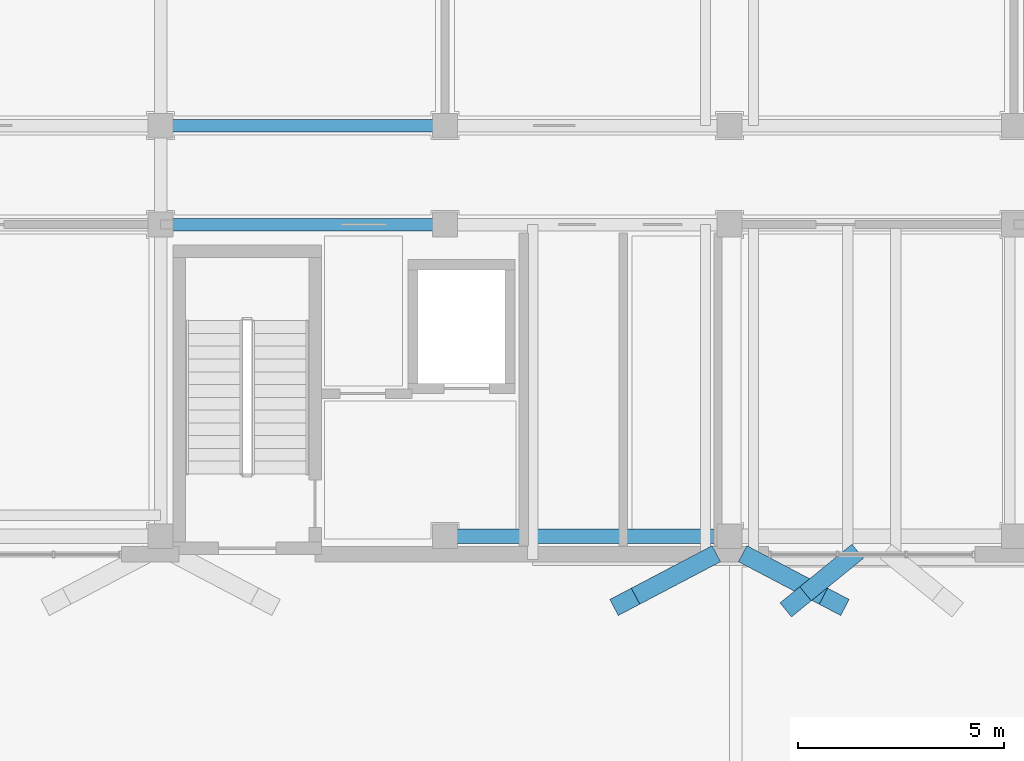
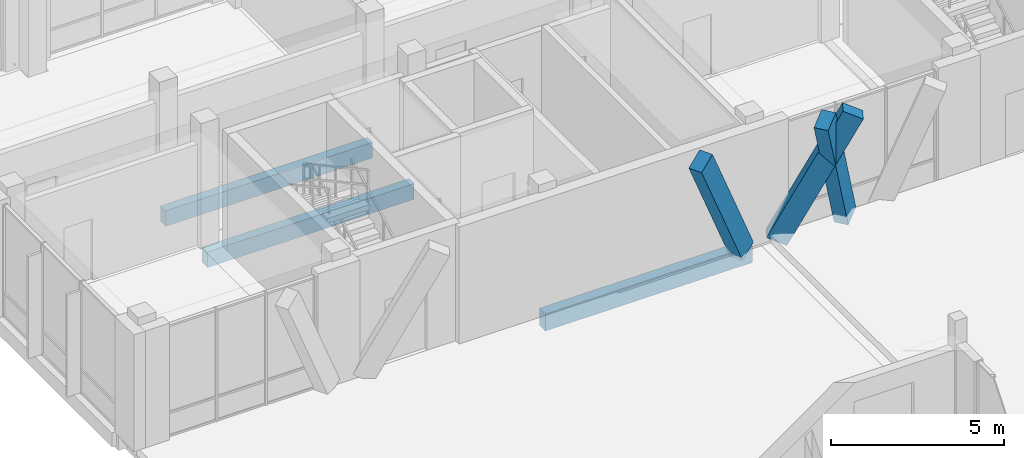
# One storey, part 99 of 233: 3 beams, 3 members.
"""IFC4 building model written with IfcOpenShell, lengths in metres."""

from ifc_helpers import new_model, si_unit, direction, frame, origin, origin_2d, place, context, subcontext, project, spatial, rectangle, extrude, material, material_profile, profile_set, type_object, element, save


model = new_model("IFC4")

# Units and contexts
model_context = context("Model", 3, precision=1e-05, world=origin(), true_north=direction((0.0, 1.0)))
body_context = subcontext(model_context, "Body", "Model", "MODEL_VIEW")
ifc_project = project(units=[si_unit("LENGTHUNIT", "METRE"), si_unit("AREAUNIT", "SQUARE_METRE"), si_unit("VOLUMEUNIT", "CUBIC_METRE"), si_unit("PLANEANGLEUNIT", "RADIAN"), si_unit("MASSUNIT", "GRAM", prefix="KILO")], contexts=[model_context])

# Site, building, storey
site_placement = place(None, origin())
site = spatial("IfcSite", under=ifc_project, at=site_placement, CompositionType="ELEMENT")
building_placement = place(site_placement, origin())
building = spatial("IfcBuilding", under=site, at=building_placement, Name="Zavelmont Quarter", CompositionType="ELEMENT")
storey_placement = place(building_placement, origin())
storey = spatial("IfcBuildingStorey", under=building, at=storey_placement, Name="L00", CompositionType="ELEMENT", Elevation=0.0)

# Beams
ifc_material_1 = material(Name="Concrete C35/45", Category="concrete")
ifc_material_profile_1 = material_profile(ifc_material_1, rectangle(XDim=0.35009765625, YDim=0.60009765625, at=origin_2d()), Name="RC350X600")
ifc_profile_set_1 = profile_set([ifc_material_profile_1], Name="Concrete C35/45")
beam_type_1 = type_object("IfcBeamType", Name="BM01", PredefinedType="SPANDREL", material=ifc_profile_set_1)
beam_placement = place(storey_placement, frame((13.800048828125, 98.0400390625, -0.6201171875), z_axis=(1.0, 0.0, 0.0), x_axis=(0.0, 1.0, 0.0)))
element("IfcBeam", 1, at=beam_placement, inside=storey, type_object=beam_type_1, Name="L00 beam BM01 3/P to 4/P", PredefinedType="SPANDREL", context=body_context, shape_type="SweptSolid", body=[
    extrude(rectangle(XDim=0.35009765625, YDim=0.60009765625, at=origin_2d()), origin(), (0.0, 0.0, 1.0), 6.89990234375),
])
ifc_material_profile_2 = material_profile(ifc_material_1, rectangle(XDim=0.300048828125, YDim=0.550048828125, at=origin_2d()), Name="RC300X550")
ifc_profile_set_2 = profile_set([ifc_material_profile_2], Name="Concrete C35/45")
beam_type_2 = type_object("IfcBeamType", Name="BM02", PredefinedType="SPANDREL", material=ifc_profile_set_2)
for number, where, z_axis, x_axis, name in (
    (2, (6.89990234375, 105.60009765625, -0.594970703125), (1.0, 0.0, 0.0), (0.0, 1.0, 0.0), "L00 beam BM02 2/Q to 3/Q"),
    (3, (6.89990234375, 108.0, -0.594970703125), (1.0, 0.0, 0.0), (0.0, 1.0, 0.0), "L00 beam BM02 2/R to 3/R"),
):
    element("IfcBeam", number, at=place(storey_placement, frame(where, z_axis=z_axis, x_axis=x_axis)), inside=storey, type_object=beam_type_2, Name=name, PredefinedType="SPANDREL", context=body_context, shape_type="SweptSolid", body=[
        extrude(rectangle(XDim=0.300048828125, YDim=0.550048828125, at=origin_2d()), origin(), (0.0, 0.0, 1.0), 6.900146484375),
    ])

# Members
ifc_material_2 = material(Name="White architectural precast concrete C40/50", Category="concrete")
ifc_material_profile_3 = material_profile(ifc_material_2, rectangle(XDim=0.43994140625, YDim=0.659912109375, at=origin_2d()), Name="PCR320X480")
ifc_profile_set_3 = profile_set([ifc_material_profile_3], Name="White architectural precast concrete C40/50")
member_type = type_object("IfcMemberType", Name="VR01M", PredefinedType="CHORD", material=ifc_profile_set_3)
for number, where, z_axis, x_axis, name in (
    (4, (20.1201171875, 97.47998046875, 0.0), (-0.397787868257, -0.209129846252, 0.893324979654), (0.465341803396, -0.885131067138, 0.0), "L00 member VR01M 4/P to 4/P"),
    (5, (21.280029296875, 97.47998046875, 0.0), (0.397787868257, -0.209129846252, 0.893324979654), (0.465341803396, 0.885131067138, 0.0), "L00 member VR01M 4/P to 4/P"),
):
    element("IfcMember", number, at=place(storey_placement, frame(where, z_axis=z_axis, x_axis=x_axis)), inside=storey, type_object=member_type, Name=name, PredefinedType="CHORD", context=body_context, shape_type="SweptSolid", body=[
        extrude(rectangle(XDim=0.43994140625, YDim=0.659912109375, at=origin_2d()), origin(), (0.0, 0.0, 1.0), 4.92529296875),
    ])
member_placement = place(storey_placement, frame((23.570068359375, 97.47998046875, 0.0), z_axis=(-0.269649665364, -0.219496804586, 0.937608772754), x_axis=(0.631296515151, -0.775541559143, 0.0)))
element("IfcMember", 6, at=member_placement, inside=storey, type_object=member_type, Name="L00 member VR01M 4/P to 4/P", PredefinedType="CHORD", context=body_context, shape_type="SweptSolid", body=[
    extrude(rectangle(XDim=0.43994140625, YDim=0.659912109375, at=origin_2d()), origin(), (0.0, 0.0, 1.0), 4.692626953125),
])

save(model, "model.ifc")
